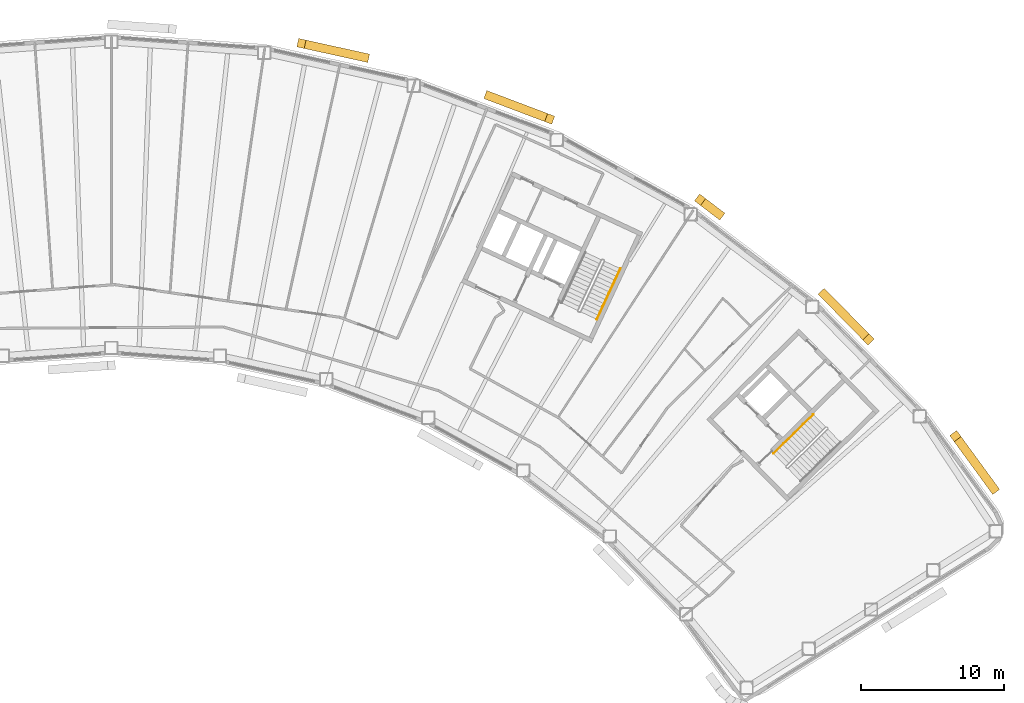
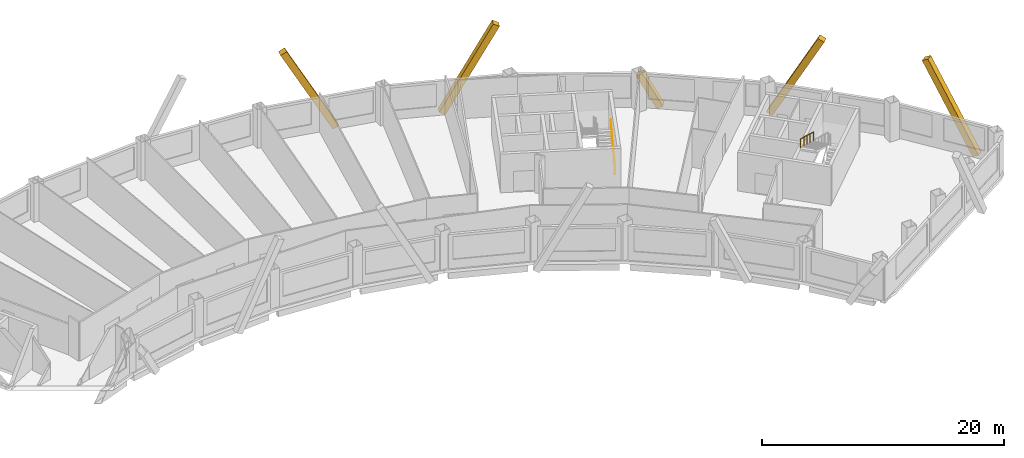
# One storey, part 13 of 13: 5 coverings, 2 railings.
"""IFC4 building model written with IfcOpenShell, lengths in metres."""

import ifcopenshell
import ifcopenshell.guid

model = None  # the IFC model being written
_history = None  # IfcOwnerHistory: only IFC2X3 demands one
_inside = {}  # id of a spatial element -> (the spatial element, [elements in it])
_under = {}  # id of a project, library or spatial element -> (it, [spatial elements below it])
_declared = {}  # id of a project -> (the project, [libraries it declares])
_typed = {}  # id of a type object -> (the type object, [elements of that type])
_made_of = {}  # id of a material, layer set ... -> (it, [elements and type objects made of it])


def new_model(schema):
    """Start an empty IFC model of exactly this schema.

    Asked for "IFC4X3", IfcOpenShell would pick the latest addendum, in which some entities
    have other attributes; the version numbers below select the first issue.
    IFC2X3 requires an IfcOwnerHistory on every rooted entity: one is made here for all.
    """
    global model, _history
    if schema == "IFC4X3":
        model = ifcopenshell.file(schema_version=(4, 3, 0, 0))
    else:
        model = ifcopenshell.file(schema=schema)
    _inside.clear()
    _under.clear()
    _declared.clear()
    _typed.clear()
    _made_of.clear()
    _history = None
    if model.schema == "IFC2X3":
        org = make("IfcOrganization", Name="unknown")
        user = make(
            "IfcPersonAndOrganization",
            ThePerson=make("IfcPerson", FamilyName="unknown"),
            TheOrganization=org,
        )
        app = make(
            "IfcApplication",
            ApplicationDeveloper=org,
            Version="unknown",
            ApplicationFullName="unknown",
            ApplicationIdentifier="unknown",
        )
        _history = make(
            "IfcOwnerHistory",
            OwningUser=user,
            OwningApplication=app,
            ChangeAction="ADDED",
            CreationDate=0,
        )
    return model


def make(cls, **values):
    """One entity of the class cls with the attributes given. An attribute that is None is left unset."""
    return model.create_entity(
        cls, **{name: value for name, value in values.items() if value is not None}
    )


def rooted(cls, **values):
    """An entity with a GlobalId (a new one), such as an element, a storey or a relation."""
    return make(cls, GlobalId=ifcopenshell.guid.new(), OwnerHistory=_history, **values)


def si_unit(unit_type, name, prefix=None):
    """IfcSIUnit, for example si_unit("LENGTHUNIT", "METRE", prefix="MILLI")."""
    return make("IfcSIUnit", UnitType=unit_type, Prefix=prefix, Name=name)


def assignment(units):
    """IfcUnitAssignment: the units of a project."""
    return None if units is None else make("IfcUnitAssignment", Units=units)


def point(xyz):
    """IfcCartesianPoint."""
    return None if xyz is None else make("IfcCartesianPoint", Coordinates=xyz)


def direction(xyz):
    """IfcDirection."""
    return None if xyz is None else make("IfcDirection", DirectionRatios=xyz)


def frame(location, z_axis=None, x_axis=None):
    """IfcAxis2Placement3D, a coordinate frame: its origin and axes. An axis left out is left unset."""
    return make(
        "IfcAxis2Placement3D",
        Location=point(location),
        Axis=direction(z_axis),
        RefDirection=direction(x_axis),
    )


def frame_2d(location, x_axis=None):
    """IfcAxis2Placement2D, a coordinate frame in the plane: its origin and x axis."""
    return make(
        "IfcAxis2Placement2D", Location=point(location), RefDirection=direction(x_axis)
    )


def origin():
    """The frame at (0, 0, 0) with its axes left unset."""
    return frame((0.0, 0.0, 0.0))


def origin_2d():
    """The frame at (0, 0) in the plane with its x axis left unset."""
    return frame_2d((0.0, 0.0))


def place(relative_to, where):
    """IfcLocalPlacement: puts the frame where relative to a parent placement (None: the world)."""
    return make(
        "IfcLocalPlacement", PlacementRelTo=relative_to, RelativePlacement=where
    )


def context(
    kind, dimensions, precision=None, world=None, true_north=None, identifier=None
):
    """IfcGeometricRepresentationContext, for example the 3D "Model" context."""
    return make(
        "IfcGeometricRepresentationContext",
        ContextIdentifier=identifier,
        ContextType=kind,
        CoordinateSpaceDimension=dimensions,
        Precision=precision,
        WorldCoordinateSystem=world,
        TrueNorth=true_north,
    )


def subcontext(parent, identifier, kind, view, scale=None):
    """IfcGeometricRepresentationSubContext, for example "Body" below "Model"."""
    return make(
        "IfcGeometricRepresentationSubContext",
        ContextIdentifier=identifier,
        ContextType=kind,
        ParentContext=parent,
        TargetScale=scale,
        TargetView=view,
    )


def project(units=None, contexts=None):
    """IfcProject with its units and contexts."""
    return rooted(
        "IfcProject",
        Name="project",
        RepresentationContexts=contexts,
        UnitsInContext=assignment(units),
    )


def spatial(cls, under=None, at=None, **own):
    """A site, building, storey or space (cls), placed at a placement, below another one or the project."""
    s = rooted(cls, ObjectPlacement=at, **own)
    if under is not None:
        _under.setdefault(under.id(), (under, []))[1].append(s)
    return s


def profile(cls, at=None, kind="AREA", **sizes):
    """A parametric profile (cls). Its sizes go by their IFC names, for example OverallWidth=200.0."""
    return make(cls, ProfileType=kind, Position=at, **sizes)


def rectangle(**sizes):
    """IfcRectangleProfileDef."""
    return profile("IfcRectangleProfileDef", **sizes)


def circle(**sizes):
    """IfcCircleProfileDef."""
    return profile("IfcCircleProfileDef", **sizes)


def extrude(swept, where, along, depth):
    """IfcExtrudedAreaSolid: the profile swept, set in the frame where, extruded along a direction by depth."""
    return make(
        "IfcExtrudedAreaSolid",
        SweptArea=swept,
        Position=where,
        ExtrudedDirection=direction(along),
        Depth=depth,
    )


def shape(context_of_items, identifier, shape_type, items):
    """IfcShapeRepresentation: the items that make up one representation, for example the "Body"."""
    return make(
        "IfcShapeRepresentation",
        ContextOfItems=context_of_items,
        RepresentationIdentifier=identifier,
        RepresentationType=shape_type,
        Items=items,
    )


def material(Name=None, Category=None):
    """IfcMaterial."""
    return make("IfcMaterial", Name=Name, Category=Category)


def material_profile(
    of_material, cross_section, Name=None, Category=None, Priority=None
):
    """IfcMaterialProfile: a cross section and its material."""
    return make(
        "IfcMaterialProfile",
        Name=Name,
        Material=of_material,
        Profile=cross_section,
        Priority=Priority,
        Category=Category,
    )


def profile_set(profiles, Name=None, composite=None):
    """IfcMaterialProfileSet."""
    return make(
        "IfcMaterialProfileSet",
        Name=Name,
        MaterialProfiles=profiles,
        CompositeProfile=composite,
    )


def made_of(thing, what):
    """Note that an element or type object is made of a material, layer set ...; save() writes the relation."""
    if what is not None:
        _made_of.setdefault(what.id(), (what, []))[1].append(thing)
    return thing


def type_object(cls, material=None, **own):
    """A type object (cls), such as IfcWallType, which elements share."""
    return made_of(rooted(cls, **own), material)


def element(
    cls,
    number,
    at=None,
    inside=None,
    cuts=None,
    type_object=None,
    material=None,
    context=None,
    identifier="Body",
    shape_type=None,
    held_by="IfcProductDefinitionShape",
    body=None,
    shapes=None,
    **own,
):
    """One element of the class cls, such as IfcWall. Its Tag is "e" and its number.

    at: its placement. inside: the storey or other place that contains it. cuts: it is an
    opening in that element (IfcRelVoidsElement). A single representation is given by context,
    identifier, shape_type and body (its items); several are given by shapes. held_by: the class
    of the entity that holds the representations. save() writes the other relations.
    """
    e = rooted(cls, Tag="e%d" % number, ObjectPlacement=at, **own)
    if body is not None:
        shapes = [shape(context, identifier, shape_type, body)]
    if shapes is not None:
        e.Representation = make(held_by, Representations=shapes)
    if inside is not None:
        _inside.setdefault(inside.id(), (inside, []))[1].append(e)
    if cuts is not None:
        rooted(
            "IfcRelVoidsElement", RelatingBuildingElement=cuts, RelatedOpeningElement=e
        )
    if type_object is not None:
        _typed.setdefault(type_object.id(), (type_object, []))[1].append(e)
    return made_of(e, material)


def aggregate(whole, parts):
    """IfcRelAggregates: a whole, such as a stair, and the parts it consists of."""
    return rooted("IfcRelAggregates", RelatingObject=whole, RelatedObjects=parts)


def save(model, path):
    """Write the relations noted so far, then the file.

    IfcRelAggregates (storeys below a building ...), IfcRelContainedInSpatialStructure (elements
    in a storey), IfcRelDefinesByType, IfcRelAssociatesMaterial and IfcRelDeclares: one each for
    every whole, place, type object, material and project.
    """
    for whole, parts in _under.values():
        aggregate(whole, parts)
    for where, things in _inside.values():
        rooted(
            "IfcRelContainedInSpatialStructure",
            RelatedElements=things,
            RelatingStructure=where,
        )
    for kind, things in _typed.values():
        rooted("IfcRelDefinesByType", RelatedObjects=things, RelatingType=kind)
    for what, things in _made_of.values():
        rooted("IfcRelAssociatesMaterial", RelatedObjects=things, RelatingMaterial=what)
    for by, libraries in _declared.values():
        rooted("IfcRelDeclares", RelatingContext=by, RelatedDefinitions=libraries)
    model.write(path)


model = new_model("IFC4")

# Units and contexts
model_context = context("Model", 3, precision=1e-05, world=origin(), true_north=direction((0.0, 1.0)))
body_context = subcontext(model_context, "Body", "Model", "MODEL_VIEW")
ifc_project = project(units=[si_unit("LENGTHUNIT", "METRE"), si_unit("AREAUNIT", "SQUARE_METRE"), si_unit("VOLUMEUNIT", "CUBIC_METRE"), si_unit("PLANEANGLEUNIT", "RADIAN"), si_unit("MASSUNIT", "GRAM", prefix="KILO")], contexts=[model_context])

# Site, building, storey
site_placement = place(None, origin())
site = spatial("IfcSite", under=ifc_project, at=site_placement, CompositionType="ELEMENT")
building_placement = place(site_placement, origin())
building = spatial("IfcBuilding", under=site, at=building_placement, Name="Tuul Gate Civic Tower", CompositionType="ELEMENT")
storey_placement = place(building_placement, frame((0.0, 0.0, 180.5)))
storey = spatial("IfcBuildingStorey", under=building, at=storey_placement, Name="Level 41", CompositionType="ELEMENT", Elevation=180.5)

# Railings
ifc_material_1 = material(Name="Painted steel", Category="steel")
railing_type = type_object("IfcRailingType", Name="Stair handrail", PredefinedType="HANDRAIL", material=ifc_material_1)
railing_1_placement = place(storey_placement, frame((49.9462890625, -12.369873046875, 2.25)))
element("IfcRailing", 1, at=railing_1_placement, inside=storey, type_object=railing_type, Name="Level 41 ST-3 stair handrail 2", PredefinedType="HANDRAIL", context=body_context, shape_type="SweptSolid", body=[
    extrude(circle(Radius=0.02392578125, at=origin_2d()), frame((0.0, 0.0, 0.8759765625), z_axis=(-0.638753653487, -0.626099522554, 0.447205945863), x_axis=(0.699997553204, -0.714145241186, 0.0)), (0.0, 0.0, 1.0), 4.3603515625),
    extrude(circle(Radius=0.02099609375, at=origin_2d()), origin(), (0.0, 0.0, 1.0), 0.851806640625),
    extrude(circle(Radius=0.02099609375, at=origin_2d()), frame((-0.6962890625, -0.6826171875, 0.487548828125)), (0.0, 0.0, 1.0), 0.851806640625),
    extrude(circle(Radius=0.02099609375, at=origin_2d()), frame((-1.392578125, -1.364990234375, 0.97509765625)), (0.0, 0.0, 1.0), 0.851806640625),
    extrude(circle(Radius=0.02099609375, at=origin_2d()), frame((-2.0888671875, -2.04736328125, 1.46240234375)), (0.0, 0.0, 1.0), 0.851806640625),
    extrude(circle(Radius=0.02099609375, at=origin_2d()), frame((-2.78515625, -2.72998046875, 1.949951171875)), (0.0, 0.0, 1.0), 0.851806640625),
])
railing_2_placement = place(storey_placement, frame((34.844970703125, -5.74267578125, 0.14990234375)))
element("IfcRailing", 2, at=railing_2_placement, inside=storey, type_object=railing_type, Name="Level 41 ST-4 stair handrail 1", PredefinedType="HANDRAIL", context=body_context, shape_type="SweptSolid", body=[
    extrude(circle(Radius=0.02392578125, at=origin_2d()), frame((0.0, 0.0, 0.8759765625), z_axis=(0.377985431313, 0.810616660428, 0.447244500863), x_axis=(-0.906312636903, 0.422607861012, 0.0)), (0.0, 0.0, 1.0), 4.3603515625),
    extrude(circle(Radius=0.02099609375, at=origin_2d()), origin(), (0.0, 0.0, 1.0), 0.851806640625),
    extrude(circle(Radius=0.02099609375, at=origin_2d()), frame((0.412109375, 0.8837890625, 0.487548828125)), (0.0, 0.0, 1.0), 0.851806640625),
    extrude(circle(Radius=0.02099609375, at=origin_2d()), frame((0.82421875, 1.767333984375, 0.97509765625)), (0.0, 0.0, 1.0), 0.851806640625),
    extrude(circle(Radius=0.02099609375, at=origin_2d()), frame((1.236083984375, 2.65087890625, 1.462646484375)), (0.0, 0.0, 1.0), 0.851806640625),
    extrude(circle(Radius=0.02099609375, at=origin_2d()), frame((1.648193359375, 3.53466796875, 1.9501953125)), (0.0, 0.0, 1.0), 0.851806640625),
])

# Coverings
ifc_material_2 = material(Name="Terracotta baguette", Category="masonry")
ifc_material_profile = material_profile(ifc_material_2, rectangle(XDim=0.60009765625, YDim=0.60009765625, at=origin_2d()), Name="Terracotta baguette screen frame")
ifc_profile_set = profile_set([ifc_material_profile], Name="Terracotta baguette")
covering_type = type_object("IfcCoveringType", Name="Terracotta baguette screen frame", PredefinedType="CLADDING", material=ifc_profile_set)
covering_1_placement = place(storey_placement, frame((62.549560546875, -17.56884765625, -0.35009765625), z_axis=(-0.281337946995, 0.385249583854, 0.878880946272), x_axis=(-0.807581408805, -0.589756109042, 0.0)))
element("IfcCovering", 3, at=covering_1_placement, inside=storey, type_object=covering_type, Name="Baguette 18", PredefinedType="CLADDING", context=body_context, shape_type="SweptSolid", body=[
    extrude(rectangle(XDim=0.60009765625, YDim=0.60009765625, at=origin_2d()), origin(), (0.0, 0.0, 1.0), 9.557861328125),
])
covering_2_placement = place(storey_placement, frame((53.795654296875, -7.147705078125, 8.050048828125), z_axis=(-0.332625749652, 0.339305924745, -0.879904313037), x_axis=(-0.714101368885, -0.700042309404, 0.0)))
element("IfcCovering", 4, at=covering_2_placement, inside=storey, type_object=covering_type, Name="Baguette 27", PredefinedType="CLADDING", context=body_context, shape_type="SweptSolid", body=[
    extrude(rectangle(XDim=0.60009765625, YDim=0.60009765625, at=origin_2d()), origin(), (0.0, 0.0, 1.0), 9.35595703125),
])
covering_3_placement = place(storey_placement, frame((43.393310546875, 1.577880859375, -0.35009765625), z_axis=(-0.37804535846, 0.287828427225, 0.879907099317), x_axis=(-0.605768691074, -0.795640806467, 0.0)))
element("IfcCovering", 5, at=covering_3_placement, inside=storey, type_object=covering_type, Name="Baguette 39", PredefinedType="CLADDING", context=body_context, shape_type="SweptSolid", body=[
    extrude(rectangle(XDim=0.60009765625, YDim=0.60009765625, at=origin_2d()), origin(), (0.0, 0.0, 1.0), 3.55322265625),
])
for number, where, z_axis, x_axis, name in (
    (6, (31.559326171875, 8.239501953125, 8.050048828125), (-0.444439006593, 0.168067964286, -0.879901772245), (-0.353711403676, -0.935354608108, 0.0), "Baguette 51"),
    (7, (18.6728515625, 12.523193359375, -0.35009765625), (-0.464026330658, 0.102267362706, 0.879898261722), (-0.215226248943, -0.976564212823, 0.0), "Baguette 60"),
):
    element("IfcCovering", number, at=place(storey_placement, frame(where, z_axis=z_axis, x_axis=x_axis)), inside=storey, type_object=covering_type, Name=name, PredefinedType="CLADDING", context=body_context, shape_type="SweptSolid", body=[
        extrude(rectangle(XDim=0.60009765625, YDim=0.60009765625, at=origin_2d()), origin(), (0.0, 0.0, 1.0), 9.546630859375),
    ])

save(model, "model.ifc")
